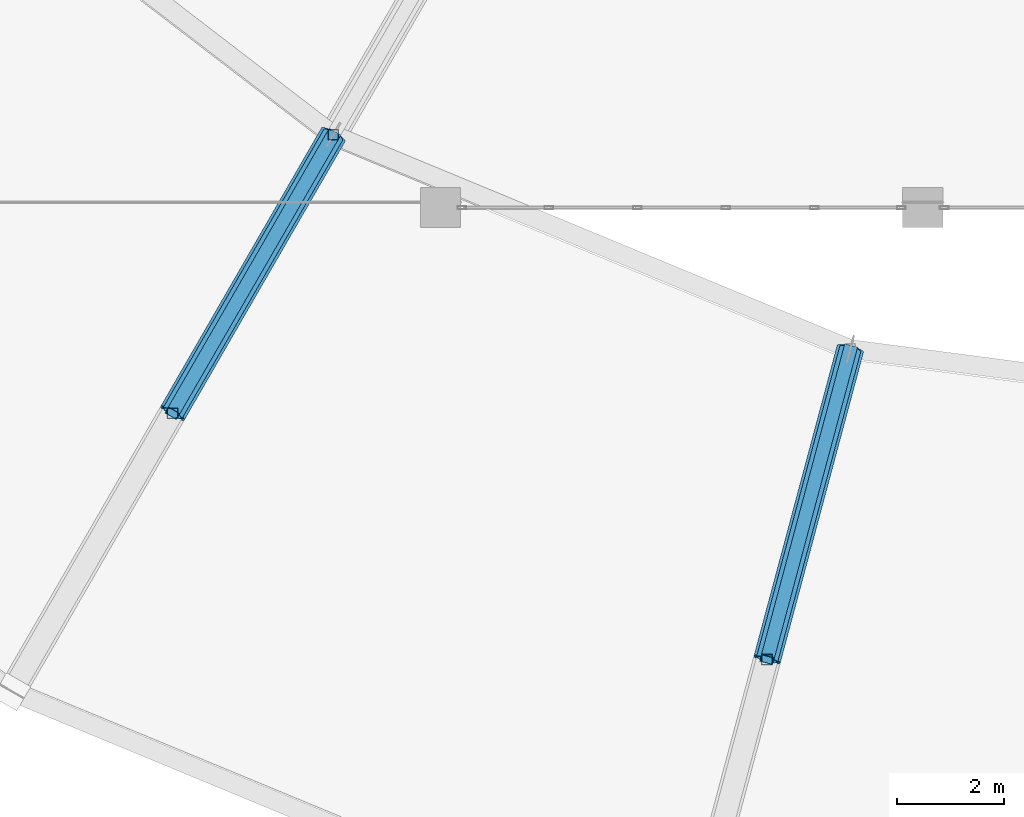
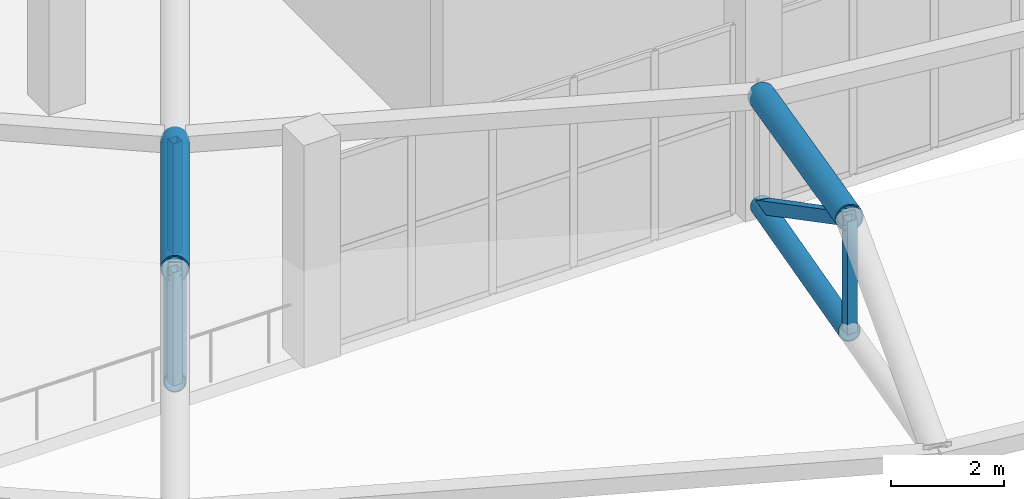
# One storey, part 23 of 167: 9 members.
"""IFC4 building model written with IfcOpenShell, lengths in metres."""

from ifc_helpers import new_model, si_unit, direction, frame, origin, origin_2d, place, context, subcontext, project, spatial, hollow_rectangle, hollow_circle, extrude, material, material_profile, profile_set, type_object, element, save


model = new_model("IFC4")

# Units and contexts
model_context = context("Model", 3, precision=1e-05, world=origin(), true_north=direction((0.0, 1.0)))
body_context = subcontext(model_context, "Body", "Model", "MODEL_VIEW")
ifc_project = project(units=[si_unit("LENGTHUNIT", "METRE"), si_unit("AREAUNIT", "SQUARE_METRE"), si_unit("VOLUMEUNIT", "CUBIC_METRE"), si_unit("PLANEANGLEUNIT", "RADIAN"), si_unit("MASSUNIT", "GRAM", prefix="KILO")], contexts=[model_context])

# Site, building, storey
site_placement = place(None, origin())
site = spatial("IfcSite", under=ifc_project, at=site_placement, CompositionType="ELEMENT")
building_placement = place(site_placement, origin())
building = spatial("IfcBuilding", under=site, at=building_placement, Name="Dornveld Trade and Exhibition Forum", CompositionType="ELEMENT")
storey_placement = place(building_placement, frame((0.0, 0.0, 16.800048828125)))
storey = spatial("IfcBuildingStorey", under=building, at=storey_placement, Name="L03", CompositionType="ELEMENT", Elevation=16.800048828125)

# Members
ifc_material_1 = material(Name="Steel S355J2", Category="steel")
ifc_material_profile_1 = material_profile(ifc_material_1, hollow_circle(Radius=0.203125, WallThickness=0.02001953125, at=origin_2d()), Name="CHS 406.4x20")
ifc_profile_set_1 = profile_set([ifc_material_profile_1], Name="Steel S355J2")
member_type_1 = type_object("IfcMemberType", Name="MEM-DISC-BC", PredefinedType="CHORD", material=ifc_profile_set_1)
member_1_placement = place(storey_placement, frame((97.0, 46.35888671875, 2.07568359375), z_axis=(-0.487601282714, -0.844532722982, 0.221380823263), x_axis=(0.866020924479, -0.500007758305, 0.0)))
element("IfcMember", 1, at=member_1_placement, inside=storey, type_object=member_type_1, Name="Roof disc radial R17 conical bottom chord 3", PredefinedType="CHORD", context=body_context, shape_type="SweptSolid", body=[
    extrude(hollow_circle(Radius=0.203125, WallThickness=0.02001953125, at=origin_2d()), origin(), (0.0, 0.0, 1.0), 6.152587890625),
])
member_2_placement = place(storey_placement, frame((106.647216796875, 42.363037109375, 2.07568359375), z_axis=(-0.252403210265, -0.941958781399, 0.221373606362), x_axis=(0.965924258502, -0.258824896092, 0.0)))
element("IfcMember", 2, at=member_2_placement, inside=storey, type_object=member_type_1, Name="Roof disc radial R18 conical bottom chord 3", PredefinedType="CHORD", context=body_context, shape_type="SweptSolid", body=[
    extrude(hollow_circle(Radius=0.203125, WallThickness=0.02001953125, at=origin_2d()), origin(), (0.0, 0.0, 1.0), 6.15283203125),
])
ifc_material_2 = material(Name="Steel S355J2", Category="steel")
ifc_material_profile_2 = material_profile(ifc_material_2, hollow_rectangle(XDim=0.199951171875, YDim=0.199951171875, WallThickness=0.010009765625, at=origin_2d()), Name="SHS 200x200x10")
ifc_profile_set_2 = profile_set([ifc_material_profile_2], Name="Steel S355J2")
member_type_2 = type_object("IfcMemberType", Name="MEM-DISC-STR", PredefinedType="STRUT", material=ifc_profile_set_2)
member_3_placement = place(storey_placement, frame((97.0, 46.35888671875, 2.07568359375), z_axis=(0.0, 0.0, 1.0), x_axis=(1.0, 0.0, 0.0)))
element("IfcMember", 3, at=member_3_placement, inside=storey, type_object=member_type_2, Name="Roof disc radial R17 strut 3", PredefinedType="STRUT", context=body_context, shape_type="SweptSolid", body=[
    extrude(hollow_rectangle(XDim=0.199951171875, YDim=0.199951171875, WallThickness=0.010009765625, at=origin_2d()), origin(), (0.0, 0.0, 1.0), 2.374267578125),
])
for number, where, z_axis, x_axis, name in (
    (4, (94.0, 41.162841796875, 3.437744140625), (0.0, 0.0, 1.0), (1.0, 0.0, 0.0), "Roof disc radial R17 strut 4"),
    (5, (105.09423828125, 36.5673828125, 3.437744140625), (0.0, 0.0, 1.0), (1.0, 0.0, 0.0), "Roof disc radial R18 strut 4"),
):
    element("IfcMember", number, at=place(storey_placement, frame(where, z_axis=z_axis, x_axis=x_axis)), inside=storey, type_object=member_type_2, Name=name, PredefinedType="STRUT", context=body_context, shape_type="SweptSolid", body=[
        extrude(hollow_rectangle(XDim=0.199951171875, YDim=0.199951171875, WallThickness=0.010009765625, at=origin_2d()), origin(), (0.0, 0.0, 1.0), 2.437255859375),
    ])
ifc_material_3 = material(Name="Steel S355J2", Category="steel")
ifc_material_profile_3 = material_profile(ifc_material_3, hollow_circle(Radius=0.25390625, WallThickness=0.02490234375, at=origin_2d()), Name="CHS 508x25")
ifc_profile_set_3 = profile_set([ifc_material_profile_3], Name="Steel S355J2")
member_type_3 = type_object("IfcMemberType", Name="MEM-DISC-TC", PredefinedType="CHORD", material=ifc_profile_set_3)
member_4_placement = place(storey_placement, frame((97.0, 46.35888671875, 4.449951171875), z_axis=(-0.486474530565, -0.842581171387, 0.231083319898), x_axis=(0.866020924479, -0.500007758305, 0.0)))
element("IfcMember", 6, at=member_4_placement, inside=storey, type_object=member_type_3, Name="Roof disc radial R17 top chord 3", PredefinedType="CHORD", context=body_context, shape_type="SweptSolid", body=[
    extrude(hollow_circle(Radius=0.25390625, WallThickness=0.02490234375, at=origin_2d()), origin(), (0.0, 0.0, 1.0), 6.166748046875),
])
member_5_placement = place(storey_placement, frame((106.647216796875, 42.363037109375, 4.449951171875), z_axis=(-0.251819993215, -0.939782238472, 0.231075821474), x_axis=(0.965924258502, -0.258824896092, 0.0)))
element("IfcMember", 7, at=member_5_placement, inside=storey, type_object=member_type_3, Name="Roof disc radial R18 top chord 3", PredefinedType="CHORD", context=body_context, shape_type="SweptSolid", body=[
    extrude(hollow_circle(Radius=0.25390625, WallThickness=0.02490234375, at=origin_2d()), origin(), (0.0, 0.0, 1.0), 6.1669921875),
])
ifc_material_4 = material(Name="Steel S355J2", Category="steel")
ifc_material_profile_4 = material_profile(ifc_material_4, hollow_rectangle(XDim=0.25, YDim=0.25, WallThickness=0.012451171875, at=origin_2d()), Name="SHS 250x250x12.5")
ifc_profile_set_4 = profile_set([ifc_material_profile_4], Name="Steel S355J2")
member_type_4 = type_object("IfcMemberType", Name="MEM-DISC-WEB", PredefinedType="BRACE", material=ifc_profile_set_4)
member_6_placement = place(storey_placement, frame((97.0, 46.35888671875, 2.07568359375), z_axis=(-0.422435970228, -0.731665425973, 0.534989304092), x_axis=(0.866020924479, -0.500007758305, 0.0)))
element("IfcMember", 8, at=member_6_placement, inside=storey, type_object=member_type_4, Name="Roof disc radial R17 web 3", PredefinedType="BRACE", context=body_context, shape_type="SweptSolid", body=[
    extrude(hollow_rectangle(XDim=0.25, YDim=0.25, WallThickness=0.012451171875, at=origin_2d()), origin(), (0.0, 0.0, 1.0), 7.1015625),
])
member_7_placement = place(storey_placement, frame((106.647216796875, 42.363037109375, 2.07568359375), z_axis=(-0.218672644597, -0.816077646612, 0.534976213681), x_axis=(0.965924258502, -0.258824896092, 0.0)))
element("IfcMember", 9, at=member_7_placement, inside=storey, type_object=member_type_4, Name="Roof disc radial R18 web 3", PredefinedType="BRACE", context=body_context, shape_type="SweptSolid", body=[
    extrude(hollow_rectangle(XDim=0.25, YDim=0.25, WallThickness=0.012451171875, at=origin_2d()), origin(), (0.0, 0.0, 1.0), 7.101806640625),
])

save(model, "model.ifc")
